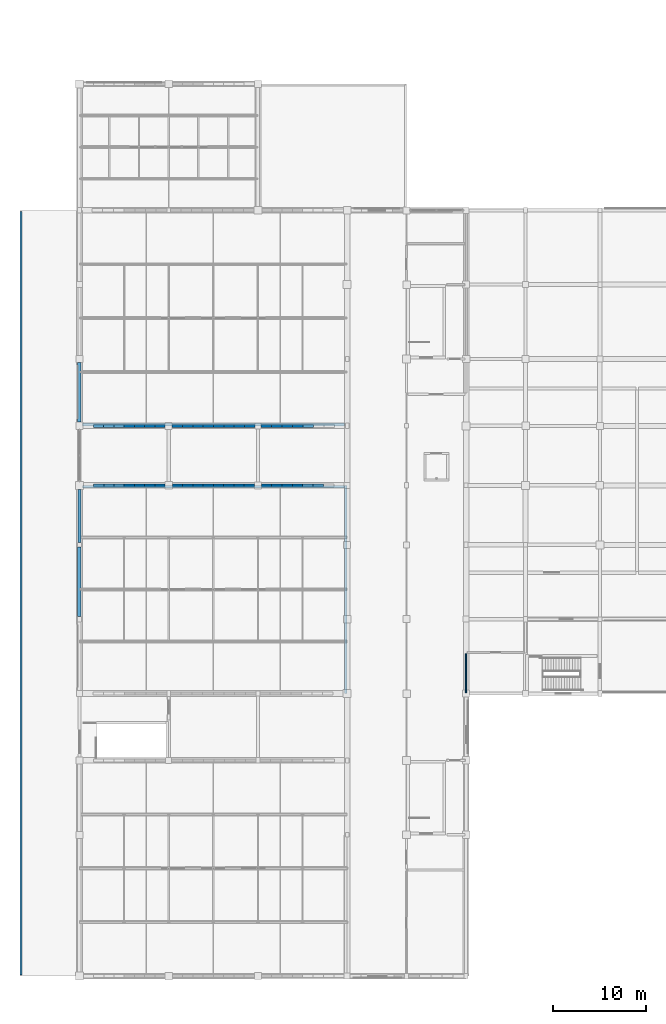
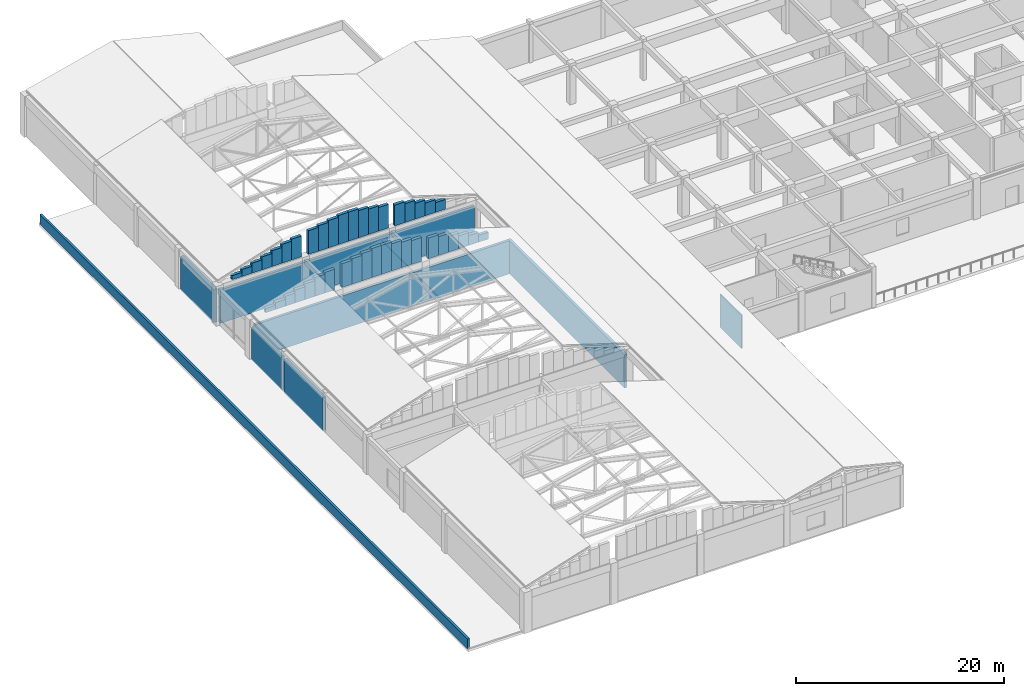
# One storey, part 45 of 61: 49 walls.
"""IFC4 building model written with IfcOpenShell, lengths in metres."""

from ifc_helpers import new_model, si_unit, direction, frame, frame_2d, origin, place, context, subcontext, project, spatial, rectangle, extrude, material, layer, layer_set, type_object, element, save


model = new_model("IFC4")

# Units and contexts
model_context = context("Model", 3, precision=1e-05, world=origin(), true_north=direction((0.0, 1.0)))
body_context = subcontext(model_context, "Body", "Model", "MODEL_VIEW")
ifc_project = project(units=[si_unit("LENGTHUNIT", "METRE"), si_unit("AREAUNIT", "SQUARE_METRE"), si_unit("VOLUMEUNIT", "CUBIC_METRE"), si_unit("PLANEANGLEUNIT", "RADIAN"), si_unit("MASSUNIT", "GRAM", prefix="KILO")], contexts=[model_context])

# Site, building, storey
site_placement = place(None, origin())
site = spatial("IfcSite", under=ifc_project, at=site_placement, CompositionType="ELEMENT")
building_placement = place(site_placement, origin())
building = spatial("IfcBuilding", under=site, at=building_placement, Name="Vellmiral Cinema and Media Centre", CompositionType="ELEMENT")
storey_placement = place(building_placement, frame((0.0, 0.0, 10.800048828125)))
storey = spatial("IfcBuildingStorey", under=building, at=storey_placement, Name="L02", CompositionType="ELEMENT", Elevation=10.800048828125)

# Walls
ifc_material_1 = material(Name="Concrete C40/50", Category="concrete")
ifc_layer_1 = layer(ifc_material_1, 0.300048828125, Name="Concrete C40/50")
ifc_layer_set_1 = layer_set([ifc_layer_1], Name="Concrete C40/50")
wall_type_1 = type_object("IfcWallType", Name="WL-CORE-300", PredefinedType="SHEAR", material=ifc_layer_set_1)
wall_1_placement = place(storey_placement, frame((6.699951171875, 65.449951171875, 0.0), z_axis=(0.0, 0.0, 1.0), x_axis=(1.0, 0.0, 0.0)))
element("IfcWall", 1, at=wall_1_placement, inside=storey, type_object=wall_type_1, Name="Cinema Screen 2 Acoustic Enclosure Wall L02-N1", PredefinedType="SHEAR", context=body_context, shape_type="SweptSolid", body=[
    extrude(rectangle(XDim=28.199951171875, YDim=0.300048828125, at=frame_2d((14.10009765625, 0.0))), origin(), (0.0, 0.0, 1.0), 3.89990234375),
])
wall_2_placement = place(storey_placement, frame((35.050048828125, 43.199951171875, 0.0), z_axis=(0.0, 0.0, 1.0), x_axis=(0.0, 1.0, 0.0)))
element("IfcWall", 2, at=wall_2_placement, inside=storey, type_object=wall_type_1, Name="Cinema Screen 2 Acoustic Enclosure Wall L02-E1", PredefinedType="SHEAR", context=body_context, shape_type="SweptSolid", body=[
    extrude(rectangle(XDim=22.400146484375, YDim=0.300048828125, at=frame_2d((11.2001953125, 0.0))), origin(), (0.0, 0.0, 1.0), 3.89990234375),
])
wall_3_placement = place(storey_placement, frame((6.699951171875, 72.14990234375, 0.0), z_axis=(0.0, 0.0, 1.0), x_axis=(1.0, 0.0, 0.0)))
element("IfcWall", 3, at=wall_3_placement, inside=storey, type_object=wall_type_1, Name="Cinema Screen 3 Acoustic Enclosure Wall L02-S1", PredefinedType="SHEAR", context=body_context, shape_type="SweptSolid", body=[
    extrude(rectangle(XDim=28.199951171875, YDim=0.300048828125, at=frame_2d((14.10009765625, 0.0))), origin(), (0.0, 0.0, 1.0), 3.89990234375),
])
ifc_material_2 = material(Name="Polychrome Glazed Ceramic Cladding", Category="masonry")
ifc_layer_2 = layer(ifc_material_2, 0.320068359375, Name="Polychrome Glazed Ceramic Cladding")
ifc_layer_set_2 = layer_set([ifc_layer_2], Name="Polychrome Glazed Ceramic Cladding")
wall_type_2 = type_object("IfcWallType", Name="WL-EXT-BRICK-320", PredefinedType="SOLIDWALL", material=ifc_layer_set_2)
wall_4_placement = place(storey_placement, frame((6.39990234375, 65.175048828125, 0.0), z_axis=(0.0, 0.0, 1.0), x_axis=(0.0, -1.0, 0.0)))
element("IfcWall", 4, at=wall_4_placement, inside=storey, type_object=wall_type_2, Name="Exterior Facade Wall L02-078", PredefinedType="SOLIDWALL", context=body_context, shape_type="SweptSolid", body=[
    extrude(rectangle(XDim=5.72509765625, YDim=0.320068359375, at=frame_2d((2.862548828125, 0.0))), origin(), (0.0, 0.0, 1.0), 3.89990234375),
])
ifc_material_3 = material(Name="Vosges Red Sandstone Masonry", Category="masonry")
ifc_layer_3 = layer(ifc_material_3, 0.340087890625, Name="Vosges Red Sandstone Masonry")
ifc_layer_set_3 = layer_set([ifc_layer_3], Name="Vosges Red Sandstone Masonry")
wall_type_3 = type_object("IfcWallType", Name="WL-EXT-SAND-340", PredefinedType="SOLIDWALL", material=ifc_layer_set_3)
wall_5_placement = place(storey_placement, frame((7.921875, 65.60009765625, 4.800048828125), z_axis=(0.0, 0.0, 1.0), x_axis=(1.0, 0.0, 0.0)))
element("IfcWall", 5, at=wall_5_placement, inside=storey, type_object=wall_type_3, Name="Cinema Screen 2 Gable End Wall N-1", PredefinedType="SOLIDWALL", context=body_context, shape_type="SweptSolid", body=[
    extrude(rectangle(XDim=1.096923828125, YDim=0.340087890625, at=frame_2d((0.54833984375, 0.0))), origin(), (0.0, 0.0, 1.0), 0.479736328125),
])
wall_6_placement = place(storey_placement, frame((9.018798828125, 65.60009765625, 4.800048828125), z_axis=(0.0, 0.0, 1.0), x_axis=(1.0, 0.0, 0.0)))
element("IfcWall", 6, at=wall_6_placement, inside=storey, type_object=wall_type_3, Name="Cinema Screen 2 Gable End Wall N-2", PredefinedType="SOLIDWALL", context=body_context, shape_type="SweptSolid", body=[
    extrude(rectangle(XDim=1.0966796875, YDim=0.340087890625, at=frame_2d((0.54833984375, 0.0))), origin(), (0.0, 0.0, 1.0), 0.82568359375),
])
wall_7_placement = place(storey_placement, frame((10.115478515625, 65.60009765625, 4.800048828125), z_axis=(0.0, 0.0, 1.0), x_axis=(1.0, 0.0, 0.0)))
element("IfcWall", 7, at=wall_7_placement, inside=storey, type_object=wall_type_3, Name="Cinema Screen 2 Gable End Wall N-3", PredefinedType="SOLIDWALL", context=body_context, shape_type="SweptSolid", body=[
    extrude(rectangle(XDim=1.096923828125, YDim=0.340087890625, at=frame_2d((0.54833984375, 0.0))), origin(), (0.0, 0.0, 1.0), 1.17138671875),
])
wall_8_placement = place(storey_placement, frame((11.21240234375, 65.60009765625, 4.800048828125), z_axis=(0.0, 0.0, 1.0), x_axis=(1.0, 0.0, 0.0)))
element("IfcWall", 8, at=wall_8_placement, inside=storey, type_object=wall_type_3, Name="Cinema Screen 2 Gable End Wall N-4", PredefinedType="SOLIDWALL", context=body_context, shape_type="SweptSolid", body=[
    extrude(rectangle(XDim=1.096923828125, YDim=0.340087890625, at=frame_2d((0.54833984375, 0.0))), origin(), (0.0, 0.0, 1.0), 1.517333984375),
])
wall_9_placement = place(storey_placement, frame((12.309326171875, 65.60009765625, 4.800048828125), z_axis=(0.0, 0.0, 1.0), x_axis=(1.0, 0.0, 0.0)))
element("IfcWall", 9, at=wall_9_placement, inside=storey, type_object=wall_type_3, Name="Cinema Screen 2 Gable End Wall N-5", PredefinedType="SOLIDWALL", context=body_context, shape_type="SweptSolid", body=[
    extrude(rectangle(XDim=1.096923828125, YDim=0.340087890625, at=frame_2d((0.54833984375, 0.0))), origin(), (0.0, 0.0, 1.0), 1.863037109375),
])
wall_10_placement = place(storey_placement, frame((13.40625, 65.60009765625, 4.800048828125), z_axis=(0.0, 0.0, 1.0), x_axis=(1.0, 0.0, 0.0)))
element("IfcWall", 10, at=wall_10_placement, inside=storey, type_object=wall_type_3, Name="Cinema Screen 2 Gable End Wall N-6", PredefinedType="SOLIDWALL", context=body_context, shape_type="SweptSolid", body=[
    extrude(rectangle(XDim=1.096923828125, YDim=0.340087890625, at=frame_2d((0.54833984375, 0.0))), origin(), (0.0, 0.0, 1.0), 2.208984375),
])
wall_11_placement = place(storey_placement, frame((14.503173828125, 65.60009765625, 4.800048828125), z_axis=(0.0, 0.0, 1.0), x_axis=(1.0, 0.0, 0.0)))
element("IfcWall", 11, at=wall_11_placement, inside=storey, type_object=wall_type_3, Name="Cinema Screen 2 Gable End Wall N-7", PredefinedType="SOLIDWALL", context=body_context, shape_type="SweptSolid", body=[
    extrude(rectangle(XDim=1.096923828125, YDim=0.340087890625, at=frame_2d((0.54833984375, 0.0))), origin(), (0.0, 0.0, 1.0), 2.4375),
])
wall_12_placement = place(storey_placement, frame((16.39990234375, 65.60009765625, 4.800048828125), z_axis=(0.0, 0.0, 1.0), x_axis=(1.0, 0.0, 0.0)))
element("IfcWall", 12, at=wall_12_placement, inside=storey, type_object=wall_type_3, Name="Cinema Screen 2 Gable End Wall N-8", PredefinedType="SOLIDWALL", context=body_context, shape_type="SweptSolid", body=[
    extrude(rectangle(XDim=1.103271484375, YDim=0.340087890625, at=frame_2d((0.5517578125, 0.0))), origin(), (0.0, 0.0, 1.0), 2.7890625),
])
wall_13_placement = place(storey_placement, frame((17.503173828125, 65.60009765625, 4.800048828125), z_axis=(0.0, 0.0, 1.0), x_axis=(1.0, 0.0, 0.0)))
element("IfcWall", 13, at=wall_13_placement, inside=storey, type_object=wall_type_3, Name="Cinema Screen 2 Gable End Wall N-9", PredefinedType="SOLIDWALL", context=body_context, shape_type="SweptSolid", body=[
    extrude(rectangle(XDim=1.10302734375, YDim=0.340087890625, at=frame_2d((0.551513671875, 0.0))), origin(), (0.0, 0.0, 1.0), 2.993408203125),
])
wall_14_placement = place(storey_placement, frame((18.606201171875, 65.60009765625, 4.800048828125), z_axis=(0.0, 0.0, 1.0), x_axis=(1.0, 0.0, 0.0)))
element("IfcWall", 14, at=wall_14_placement, inside=storey, type_object=wall_type_3, Name="Cinema Screen 2 Gable End Wall N-10", PredefinedType="SOLIDWALL", context=body_context, shape_type="SweptSolid", body=[
    extrude(rectangle(XDim=1.103271484375, YDim=0.340087890625, at=frame_2d((0.5517578125, 0.0))), origin(), (0.0, 0.0, 1.0), 3.197998046875),
])
wall_15_placement = place(storey_placement, frame((19.70947265625, 65.60009765625, 4.800048828125), z_axis=(0.0, 0.0, 1.0), x_axis=(1.0, 0.0, 0.0)))
element("IfcWall", 15, at=wall_15_placement, inside=storey, type_object=wall_type_3, Name="Cinema Screen 2 Gable End Wall N-11", PredefinedType="SOLIDWALL", context=body_context, shape_type="SweptSolid", body=[
    extrude(rectangle(XDim=1.10302734375, YDim=0.340087890625, at=frame_2d((0.551513671875, 0.0))), origin(), (0.0, 0.0, 1.0), 3.40234375),
])
wall_16_placement = place(storey_placement, frame((20.8125, 65.60009765625, 4.800048828125), z_axis=(0.0, 0.0, 1.0), x_axis=(1.0, 0.0, 0.0)))
element("IfcWall", 16, at=wall_16_placement, inside=storey, type_object=wall_type_3, Name="Cinema Screen 2 Gable End Wall N-12", PredefinedType="SOLIDWALL", context=body_context, shape_type="SweptSolid", body=[
    extrude(rectangle(XDim=1.10302734375, YDim=0.340087890625, at=frame_2d((0.551513671875, 0.0))), origin(), (0.0, 0.0, 1.0), 3.397705078125),
])
wall_17_placement = place(storey_placement, frame((21.91552734375, 65.60009765625, 4.800048828125), z_axis=(0.0, 0.0, 1.0), x_axis=(1.0, 0.0, 0.0)))
element("IfcWall", 17, at=wall_17_placement, inside=storey, type_object=wall_type_3, Name="Cinema Screen 2 Gable End Wall N-13", PredefinedType="SOLIDWALL", context=body_context, shape_type="SweptSolid", body=[
    extrude(rectangle(XDim=1.103271484375, YDim=0.340087890625, at=frame_2d((0.5517578125, 0.0))), origin(), (0.0, 0.0, 1.0), 3.193359375),
])
wall_18_placement = place(storey_placement, frame((23.018798828125, 65.60009765625, 4.800048828125), z_axis=(0.0, 0.0, 1.0), x_axis=(1.0, 0.0, 0.0)))
element("IfcWall", 18, at=wall_18_placement, inside=storey, type_object=wall_type_3, Name="Cinema Screen 2 Gable End Wall N-14", PredefinedType="SOLIDWALL", context=body_context, shape_type="SweptSolid", body=[
    extrude(rectangle(XDim=1.10302734375, YDim=0.340087890625, at=frame_2d((0.551513671875, 0.0))), origin(), (0.0, 0.0, 1.0), 2.98876953125),
])
wall_19_placement = place(storey_placement, frame((24.121826171875, 65.60009765625, 4.800048828125), z_axis=(0.0, 0.0, 1.0), x_axis=(1.0, 0.0, 0.0)))
element("IfcWall", 19, at=wall_19_placement, inside=storey, type_object=wall_type_3, Name="Cinema Screen 2 Gable End Wall N-15", PredefinedType="SOLIDWALL", context=body_context, shape_type="SweptSolid", body=[
    extrude(rectangle(XDim=1.103271484375, YDim=0.340087890625, at=frame_2d((0.5517578125, 0.0))), origin(), (0.0, 0.0, 1.0), 2.784423828125),
])
wall_20_placement = place(storey_placement, frame((25.97509765625, 65.60009765625, 4.800048828125), z_axis=(0.0, 0.0, 1.0), x_axis=(1.0, 0.0, 0.0)))
element("IfcWall", 20, at=wall_20_placement, inside=storey, type_object=wall_type_3, Name="Cinema Screen 2 Gable End Wall N-16", PredefinedType="SOLIDWALL", context=body_context, shape_type="SweptSolid", body=[
    extrude(rectangle(XDim=1.1123046875, YDim=0.340087890625, at=frame_2d((0.55615234375, 0.0))), origin(), (0.0, 0.0, 1.0), 2.439208984375),
])
wall_21_placement = place(storey_placement, frame((27.08740234375, 65.60009765625, 4.800048828125), z_axis=(0.0, 0.0, 1.0), x_axis=(1.0, 0.0, 0.0)))
element("IfcWall", 21, at=wall_21_placement, inside=storey, type_object=wall_type_3, Name="Cinema Screen 2 Gable End Wall N-17", PredefinedType="SOLIDWALL", context=body_context, shape_type="SweptSolid", body=[
    extrude(rectangle(XDim=1.112548828125, YDim=0.340087890625, at=frame_2d((0.55615234375, 0.0))), origin(), (0.0, 0.0, 1.0), 2.20703125),
])
wall_22_placement = place(storey_placement, frame((28.199951171875, 65.60009765625, 4.800048828125), z_axis=(0.0, 0.0, 1.0), x_axis=(1.0, 0.0, 0.0)))
element("IfcWall", 22, at=wall_22_placement, inside=storey, type_object=wall_type_3, Name="Cinema Screen 2 Gable End Wall N-18", PredefinedType="SOLIDWALL", context=body_context, shape_type="SweptSolid", body=[
    extrude(rectangle(XDim=1.112548828125, YDim=0.340087890625, at=frame_2d((0.55615234375, 0.0))), origin(), (0.0, 0.0, 1.0), 1.856201171875),
])
wall_23_placement = place(storey_placement, frame((29.3125, 65.60009765625, 4.800048828125), z_axis=(0.0, 0.0, 1.0), x_axis=(1.0, 0.0, 0.0)))
element("IfcWall", 23, at=wall_23_placement, inside=storey, type_object=wall_type_3, Name="Cinema Screen 2 Gable End Wall N-19", PredefinedType="SOLIDWALL", context=body_context, shape_type="SweptSolid", body=[
    extrude(rectangle(XDim=1.112548828125, YDim=0.340087890625, at=frame_2d((0.55615234375, 0.0))), origin(), (0.0, 0.0, 1.0), 1.505615234375),
])
wall_24_placement = place(storey_placement, frame((30.425048828125, 65.60009765625, 4.800048828125), z_axis=(0.0, 0.0, 1.0), x_axis=(1.0, 0.0, 0.0)))
element("IfcWall", 24, at=wall_24_placement, inside=storey, type_object=wall_type_3, Name="Cinema Screen 2 Gable End Wall N-20", PredefinedType="SOLIDWALL", context=body_context, shape_type="SweptSolid", body=[
    extrude(rectangle(XDim=1.112548828125, YDim=0.340087890625, at=frame_2d((0.55615234375, 0.0))), origin(), (0.0, 0.0, 1.0), 1.15478515625),
])
wall_25_placement = place(storey_placement, frame((31.53759765625, 65.60009765625, 4.800048828125), z_axis=(0.0, 0.0, 1.0), x_axis=(1.0, 0.0, 0.0)))
element("IfcWall", 25, at=wall_25_placement, inside=storey, type_object=wall_type_3, Name="Cinema Screen 2 Gable End Wall N-21", PredefinedType="SOLIDWALL", context=body_context, shape_type="SweptSolid", body=[
    extrude(rectangle(XDim=1.1123046875, YDim=0.340087890625, at=frame_2d((0.55615234375, 0.0))), origin(), (0.0, 0.0, 1.0), 0.803955078125),
])
wall_26_placement = place(storey_placement, frame((7.903076171875, 72.0, 4.800048828125), z_axis=(0.0, 0.0, 1.0), x_axis=(1.0, 0.0, 0.0)))
element("IfcWall", 26, at=wall_26_placement, inside=storey, type_object=wall_type_3, Name="Cinema Screen 3 Gable End Wall S-1", PredefinedType="SOLIDWALL", context=body_context, shape_type="SweptSolid", body=[
    extrude(rectangle(XDim=1.10302734375, YDim=0.340087890625, at=frame_2d((0.551513671875, 0.0))), origin(), (0.0, 0.0, 1.0), 0.473876953125),
])
wall_27_placement = place(storey_placement, frame((9.006103515625, 72.0, 4.800048828125), z_axis=(0.0, 0.0, 1.0), x_axis=(1.0, 0.0, 0.0)))
element("IfcWall", 27, at=wall_27_placement, inside=storey, type_object=wall_type_3, Name="Cinema Screen 3 Gable End Wall S-2", PredefinedType="SOLIDWALL", context=body_context, shape_type="SweptSolid", body=[
    extrude(rectangle(XDim=1.103271484375, YDim=0.340087890625, at=frame_2d((0.5517578125, 0.0))), origin(), (0.0, 0.0, 1.0), 0.821533203125),
])
wall_28_placement = place(storey_placement, frame((10.109375, 72.0, 4.800048828125), z_axis=(0.0, 0.0, 1.0), x_axis=(1.0, 0.0, 0.0)))
element("IfcWall", 28, at=wall_28_placement, inside=storey, type_object=wall_type_3, Name="Cinema Screen 3 Gable End Wall S-3", PredefinedType="SOLIDWALL", context=body_context, shape_type="SweptSolid", body=[
    extrude(rectangle(XDim=1.10302734375, YDim=0.340087890625, at=frame_2d((0.551513671875, 0.0))), origin(), (0.0, 0.0, 1.0), 1.16943359375),
])
wall_29_placement = place(storey_placement, frame((11.21240234375, 72.0, 4.800048828125), z_axis=(0.0, 0.0, 1.0), x_axis=(1.0, 0.0, 0.0)))
element("IfcWall", 29, at=wall_29_placement, inside=storey, type_object=wall_type_3, Name="Cinema Screen 3 Gable End Wall S-4", PredefinedType="SOLIDWALL", context=body_context, shape_type="SweptSolid", body=[
    extrude(rectangle(XDim=1.103271484375, YDim=0.340087890625, at=frame_2d((0.5517578125, 0.0))), origin(), (0.0, 0.0, 1.0), 1.517333984375),
])
wall_30_placement = place(storey_placement, frame((12.315673828125, 72.0, 4.800048828125), z_axis=(0.0, 0.0, 1.0), x_axis=(1.0, 0.0, 0.0)))
element("IfcWall", 30, at=wall_30_placement, inside=storey, type_object=wall_type_3, Name="Cinema Screen 3 Gable End Wall S-5", PredefinedType="SOLIDWALL", context=body_context, shape_type="SweptSolid", body=[
    extrude(rectangle(XDim=1.10302734375, YDim=0.340087890625, at=frame_2d((0.551513671875, 0.0))), origin(), (0.0, 0.0, 1.0), 1.864990234375),
])
wall_31_placement = place(storey_placement, frame((13.418701171875, 72.0, 4.800048828125), z_axis=(0.0, 0.0, 1.0), x_axis=(1.0, 0.0, 0.0)))
element("IfcWall", 31, at=wall_31_placement, inside=storey, type_object=wall_type_3, Name="Cinema Screen 3 Gable End Wall S-6", PredefinedType="SOLIDWALL", context=body_context, shape_type="SweptSolid", body=[
    extrude(rectangle(XDim=1.103271484375, YDim=0.340087890625, at=frame_2d((0.5517578125, 0.0))), origin(), (0.0, 0.0, 1.0), 2.212890625),
])
wall_32_placement = place(storey_placement, frame((14.52197265625, 72.0, 4.800048828125), z_axis=(0.0, 0.0, 1.0), x_axis=(1.0, 0.0, 0.0)))
element("IfcWall", 32, at=wall_32_placement, inside=storey, type_object=wall_type_3, Name="Cinema Screen 3 Gable End Wall S-7", PredefinedType="SOLIDWALL", context=body_context, shape_type="SweptSolid", body=[
    extrude(rectangle(XDim=1.10302734375, YDim=0.340087890625, at=frame_2d((0.551513671875, 0.0))), origin(), (0.0, 0.0, 1.0), 2.44091796875),
])
wall_33_placement = place(storey_placement, frame((16.375, 72.0, 4.800048828125), z_axis=(0.0, 0.0, 1.0), x_axis=(1.0, 0.0, 0.0)))
element("IfcWall", 33, at=wall_33_placement, inside=storey, type_object=wall_type_3, Name="Cinema Screen 3 Gable End Wall S-8", PredefinedType="SOLIDWALL", context=body_context, shape_type="SweptSolid", body=[
    extrude(rectangle(XDim=1.112548828125, YDim=0.340087890625, at=frame_2d((0.55615234375, 0.0))), origin(), (0.0, 0.0, 1.0), 2.784423828125),
])
wall_34_placement = place(storey_placement, frame((17.487548828125, 72.0, 4.800048828125), z_axis=(0.0, 0.0, 1.0), x_axis=(1.0, 0.0, 0.0)))
element("IfcWall", 34, at=wall_34_placement, inside=storey, type_object=wall_type_3, Name="Cinema Screen 3 Gable End Wall S-9", PredefinedType="SOLIDWALL", context=body_context, shape_type="SweptSolid", body=[
    extrude(rectangle(XDim=1.112548828125, YDim=0.340087890625, at=frame_2d((0.55615234375, 0.0))), origin(), (0.0, 0.0, 1.0), 2.99072265625),
])
wall_35_placement = place(storey_placement, frame((18.60009765625, 72.0, 4.800048828125), z_axis=(0.0, 0.0, 1.0), x_axis=(1.0, 0.0, 0.0)))
element("IfcWall", 35, at=wall_35_placement, inside=storey, type_object=wall_type_3, Name="Cinema Screen 3 Gable End Wall S-10", PredefinedType="SOLIDWALL", context=body_context, shape_type="SweptSolid", body=[
    extrude(rectangle(XDim=1.1123046875, YDim=0.340087890625, at=frame_2d((0.55615234375, 0.0))), origin(), (0.0, 0.0, 1.0), 3.19677734375),
])
wall_36_placement = place(storey_placement, frame((19.71240234375, 72.0, 4.800048828125), z_axis=(0.0, 0.0, 1.0), x_axis=(1.0, 0.0, 0.0)))
element("IfcWall", 36, at=wall_36_placement, inside=storey, type_object=wall_type_3, Name="Cinema Screen 3 Gable End Wall S-11", PredefinedType="SOLIDWALL", context=body_context, shape_type="SweptSolid", body=[
    extrude(rectangle(XDim=1.112548828125, YDim=0.340087890625, at=frame_2d((0.55615234375, 0.0))), origin(), (0.0, 0.0, 1.0), 3.40283203125),
])
wall_37_placement = place(storey_placement, frame((20.824951171875, 72.0, 4.800048828125), z_axis=(0.0, 0.0, 1.0), x_axis=(1.0, 0.0, 0.0)))
element("IfcWall", 37, at=wall_37_placement, inside=storey, type_object=wall_type_3, Name="Cinema Screen 3 Gable End Wall S-12", PredefinedType="SOLIDWALL", context=body_context, shape_type="SweptSolid", body=[
    extrude(rectangle(XDim=1.112548828125, YDim=0.340087890625, at=frame_2d((0.55615234375, 0.0))), origin(), (0.0, 0.0, 1.0), 3.393798828125),
])
wall_38_placement = place(storey_placement, frame((21.9375, 72.0, 4.800048828125), z_axis=(0.0, 0.0, 1.0), x_axis=(1.0, 0.0, 0.0)))
element("IfcWall", 38, at=wall_38_placement, inside=storey, type_object=wall_type_3, Name="Cinema Screen 3 Gable End Wall S-13", PredefinedType="SOLIDWALL", context=body_context, shape_type="SweptSolid", body=[
    extrude(rectangle(XDim=1.112548828125, YDim=0.340087890625, at=frame_2d((0.55615234375, 0.0))), origin(), (0.0, 0.0, 1.0), 3.1875),
])
wall_39_placement = place(storey_placement, frame((23.050048828125, 72.0, 4.800048828125), z_axis=(0.0, 0.0, 1.0), x_axis=(1.0, 0.0, 0.0)))
element("IfcWall", 39, at=wall_39_placement, inside=storey, type_object=wall_type_3, Name="Cinema Screen 3 Gable End Wall S-14", PredefinedType="SOLIDWALL", context=body_context, shape_type="SweptSolid", body=[
    extrude(rectangle(XDim=1.112548828125, YDim=0.340087890625, at=frame_2d((0.55615234375, 0.0))), origin(), (0.0, 0.0, 1.0), 2.981201171875),
])
wall_40_placement = place(storey_placement, frame((24.16259765625, 72.0, 4.800048828125), z_axis=(0.0, 0.0, 1.0), x_axis=(1.0, 0.0, 0.0)))
element("IfcWall", 40, at=wall_40_placement, inside=storey, type_object=wall_type_3, Name="Cinema Screen 3 Gable End Wall S-15", PredefinedType="SOLIDWALL", context=body_context, shape_type="SweptSolid", body=[
    extrude(rectangle(XDim=1.1123046875, YDim=0.340087890625, at=frame_2d((0.55615234375, 0.0))), origin(), (0.0, 0.0, 1.0), 2.775146484375),
])
wall_41_placement = place(storey_placement, frame((25.925048828125, 72.0, 4.800048828125), z_axis=(0.0, 0.0, 1.0), x_axis=(1.0, 0.0, 0.0)))
element("IfcWall", 41, at=wall_41_placement, inside=storey, type_object=wall_type_3, Name="Cinema Screen 3 Gable End Wall S-16", PredefinedType="SOLIDWALL", context=body_context, shape_type="SweptSolid", body=[
    extrude(rectangle(XDim=1.13427734375, YDim=0.340087890625, at=frame_2d((0.567138671875, 0.0))), origin(), (0.0, 0.0, 1.0), 2.4443359375),
])
wall_42_placement = place(storey_placement, frame((27.059326171875, 72.0, 4.800048828125), z_axis=(0.0, 0.0, 1.0), x_axis=(1.0, 0.0, 0.0)))
element("IfcWall", 42, at=wall_42_placement, inside=storey, type_object=wall_type_3, Name="Cinema Screen 3 Gable End Wall S-17", PredefinedType="SOLIDWALL", context=body_context, shape_type="SweptSolid", body=[
    extrude(rectangle(XDim=1.134521484375, YDim=0.340087890625, at=frame_2d((0.5673828125, 0.0))), origin(), (0.0, 0.0, 1.0), 2.208984375),
])
wall_43_placement = place(storey_placement, frame((28.19384765625, 72.0, 4.800048828125), z_axis=(0.0, 0.0, 1.0), x_axis=(1.0, 0.0, 0.0)))
element("IfcWall", 43, at=wall_43_placement, inside=storey, type_object=wall_type_3, Name="Cinema Screen 3 Gable End Wall S-18", PredefinedType="SOLIDWALL", context=body_context, shape_type="SweptSolid", body=[
    extrude(rectangle(XDim=1.13427734375, YDim=0.340087890625, at=frame_2d((0.567138671875, 0.0))), origin(), (0.0, 0.0, 1.0), 1.851318359375),
])
wall_44_placement = place(storey_placement, frame((29.328125, 72.0, 4.800048828125), z_axis=(0.0, 0.0, 1.0), x_axis=(1.0, 0.0, 0.0)))
element("IfcWall", 44, at=wall_44_placement, inside=storey, type_object=wall_type_3, Name="Cinema Screen 3 Gable End Wall S-19", PredefinedType="SOLIDWALL", context=body_context, shape_type="SweptSolid", body=[
    extrude(rectangle(XDim=1.13427734375, YDim=0.340087890625, at=frame_2d((0.567138671875, 0.0))), origin(), (0.0, 0.0, 1.0), 1.49365234375),
])
wall_45_placement = place(storey_placement, frame((30.46240234375, 72.0, 4.800048828125), z_axis=(0.0, 0.0, 1.0), x_axis=(1.0, 0.0, 0.0)))
element("IfcWall", 45, at=wall_45_placement, inside=storey, type_object=wall_type_3, Name="Cinema Screen 3 Gable End Wall S-20", PredefinedType="SOLIDWALL", context=body_context, shape_type="SweptSolid", body=[
    extrude(rectangle(XDim=1.134521484375, YDim=0.340087890625, at=frame_2d((0.5673828125, 0.0))), origin(), (0.0, 0.0, 1.0), 1.135986328125),
])
ifc_material_4 = material(Name="Vosges Red Sandstone Masonry", Category="masonry")
ifc_layer_4 = layer(ifc_material_4, 0.3798828125, Name="Vosges Red Sandstone Masonry")
ifc_layer_set_4 = layer_set([ifc_layer_4], Name="Vosges Red Sandstone Masonry")
wall_type_4 = type_object("IfcWallType", Name="WL-EXT-SAND-380", PredefinedType="SOLIDWALL", material=ifc_layer_set_4)
wall_46_placement = place(storey_placement, frame((6.39990234375, 78.824951171875, 0.0), z_axis=(0.0, 0.0, 1.0), x_axis=(0.0, -1.0, 0.0)))
element("IfcWall", 46, at=wall_46_placement, inside=storey, type_object=wall_type_4, Name="Exterior Facade Wall L02-076", PredefinedType="SOLIDWALL", context=body_context, shape_type="SweptSolid", body=[
    extrude(rectangle(XDim=6.425048828125, YDim=0.3798828125, at=frame_2d((3.21240234375, 0.0))), origin(), (0.0, 0.0, 1.0), 3.89990234375),
])
wall_47_placement = place(storey_placement, frame((6.39990234375, 58.949951171875, 0.0), z_axis=(0.0, 0.0, 1.0), x_axis=(0.0, -1.0, 0.0)))
element("IfcWall", 47, at=wall_47_placement, inside=storey, type_object=wall_type_4, Name="Exterior Facade Wall L02-079", PredefinedType="SOLIDWALL", context=body_context, shape_type="SweptSolid", body=[
    extrude(rectangle(XDim=7.449951171875, YDim=0.3798828125, at=frame_2d((3.72509765625, 0.0))), origin(), (0.0, 0.0, 1.0), 3.89990234375),
])
ifc_material_5 = material(Name="Vosges Red Sandstone Masonry", Category="masonry")
ifc_layer_5 = layer(ifc_material_5, 0.239990234375, Name="Vosges Red Sandstone Masonry")
ifc_layer_set_5 = layer_set([ifc_layer_5], Name="Vosges Red Sandstone Masonry")
wall_type_5 = type_object("IfcWallType", Name="WL-PARAPET-240", PredefinedType="PARAPET", material=ifc_layer_set_5)
wall_48_placement = place(storey_placement, frame((0.1201171875, 95.080078125, 0.0), z_axis=(0.0, 0.0, 1.0), x_axis=(0.0, -1.0, 0.0)))
element("IfcWall", 48, at=wall_48_placement, inside=storey, type_object=wall_type_5, Name="Roof Parapet Wall WING2-W-1", PredefinedType="PARAPET", context=body_context, shape_type="SweptSolid", body=[
    extrude(rectangle(XDim=82.16015625, YDim=0.239990234375, at=frame_2d((41.080078125, 0.0))), origin(), (0.0, 0.0, 1.0), 1.14990234375),
])
ifc_material_6 = material(Name="Gypsum Plasterboard")
ifc_layer_6 = layer(ifc_material_6, 0.02490234375, Name="Gypsum Plasterboard", Category="gypsum")
ifc_material_7 = material(Name="Mineral Wool Acoustic Insulation", Category="insulation")
ifc_layer_7 = layer(ifc_material_7, 0.080078125, Name="Mineral Wool Acoustic Insulation", Category="insulation")
ifc_layer_8 = layer(ifc_material_6, 0.02490234375, Name="Gypsum Plasterboard", Category="gypsum")
ifc_layer_set_6 = layer_set([ifc_layer_6, ifc_layer_7, ifc_layer_8], Name="Gypsum Plasterboard")
wall_type_6 = type_object("IfcWallType", Name="WL-PART-130", PredefinedType="PARTITIONING", material=ifc_layer_set_6)
wall_49_placement = place(storey_placement, frame((48.0, 43.304931640625, 0.0), z_axis=(0.0, 0.0, 1.0), x_axis=(0.0, 1.0, 0.0)))
element("IfcWall", 49, at=wall_49_placement, inside=storey, type_object=wall_type_6, Name="L02 Public WC Wall W", PredefinedType="PARTITIONING", context=body_context, shape_type="SweptSolid", body=[
    extrude(rectangle(XDim=4.155029296875, YDim=0.1298828125, at=frame_2d((2.07763671875, 0.0))), origin(), (0.0, 0.0, 1.0), 3.89990234375),
])

save(model, "model.ifc")
